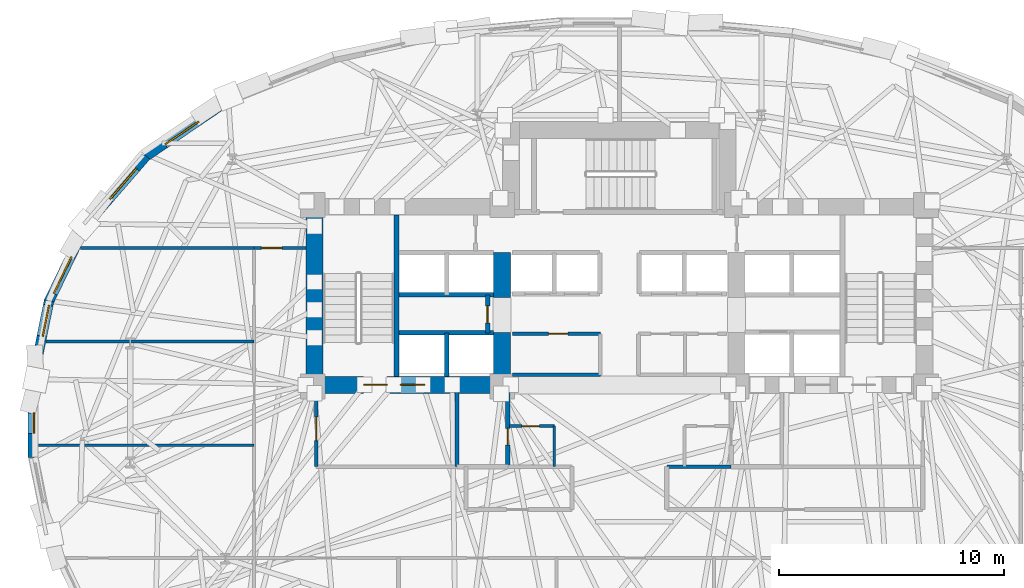
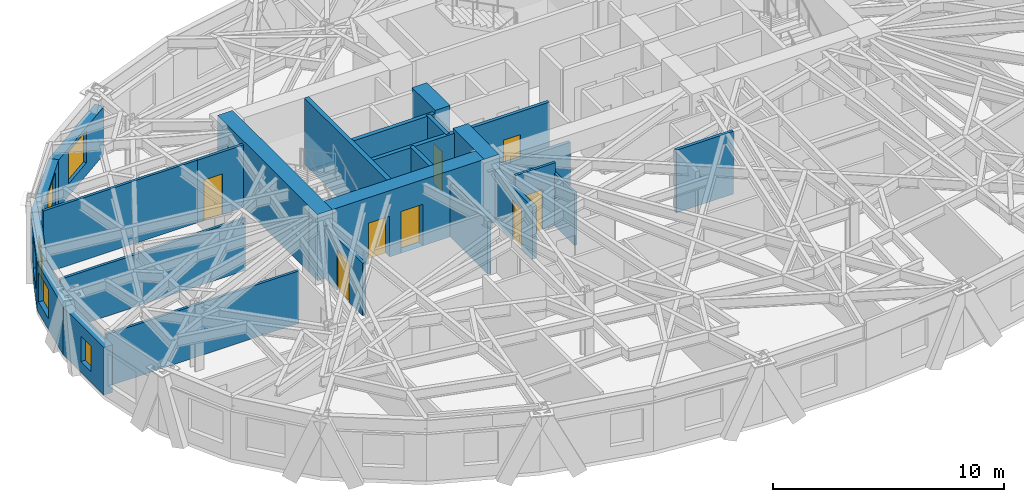
# One storey, part 7 of 14: 26 walls, 8 doors, 5 windows, 13 openings.
"""IFC4 building model written with IfcOpenShell, lengths in metres."""

from ifc_helpers import new_model, si_unit, direction, frame, frame_2d, origin, place, context, subcontext, project, spatial, rectangle, extrude, material, layer, layer_set, type_object, element, fill, save


model = new_model("IFC4")

# Units and contexts
model_context = context("Model", 3, precision=1e-05, world=origin(), true_north=direction((0.0, 1.0)))
body_context = subcontext(model_context, "Body", "Model", "MODEL_VIEW")
ifc_project = project(units=[si_unit("LENGTHUNIT", "METRE"), si_unit("AREAUNIT", "SQUARE_METRE"), si_unit("VOLUMEUNIT", "CUBIC_METRE"), si_unit("PLANEANGLEUNIT", "RADIAN"), si_unit("MASSUNIT", "GRAM", prefix="KILO")], contexts=[model_context])

# Site, building, storey
site_placement = place(None, origin())
site = spatial("IfcSite", under=ifc_project, at=site_placement, CompositionType="ELEMENT")
building_placement = place(site_placement, origin())
building = spatial("IfcBuilding", under=site, at=building_placement, Name="Keldmark Tower", CompositionType="ELEMENT")
storey_placement = place(building_placement, frame((0.0, 0.0, 121.10009765625)))
storey = spatial("IfcBuildingStorey", under=building, at=storey_placement, Name="L32", CompositionType="ELEMENT", Elevation=121.10009765625)

# Wall, opening, door
ifc_material_1 = material(Name="Acoustic Double-Layer Gypsum Corridor Partition", Category="gypsum")
ifc_layer_1 = layer(ifc_material_1, 0.139892578125)
ifc_layer_set_1 = layer_set([ifc_layer_1], Name="Acoustic Double-Layer Gypsum Corridor Partition")
wall_type_1 = type_object("IfcWallType", Name="Acoustic Corridor Partition 140 mm", PredefinedType="PARTITIONING", material=ifc_layer_set_1)
wall_1_placement = place(storey_placement, frame((-16.199951171875, 7.550048828125, 0.0), z_axis=(0.0, 0.0, 1.0), x_axis=(1.0, 0.0, 0.0)))
wall_1 = element("IfcWall", 1, at=wall_1_placement, inside=storey, type_object=wall_type_1, Name="L32 Acoustic Corridor Partition 140 mm COR-WN-CAP", PredefinedType="PARTITIONING", context=body_context, shape_type="SweptSolid", body=[
    extrude(rectangle(XDim=2.300048828125, YDim=0.139892578125, at=frame_2d((1.14990234375, 0.0))), origin(), (0.0, 0.0, 1.0), 3.309814453125),
])
opening_1_placement = place(wall_1_placement, frame((0.320068359375, 0.0, 0.0)))
opening_1 = element("IfcOpeningElement", 2, at=opening_1_placement, cuts=wall_1, Name="Opening D-EX092", PredefinedType="OPENING", context=body_context, shape_type="SweptSolid", body=[
    extrude(rectangle(XDim=0.919921875, YDim=2.14990234375, at=frame_2d((0.4599609375, 1.074951171875))), frame((0.0, 0.079833984375, 0.0), z_axis=(0.0, -1.0, 0.0), x_axis=(1.0, 0.0, 0.0)), (0.0, 0.0, 1.0), 0.159912109375),
])
ifc_material_2 = material(Name="Flush American Ash Executive Office Door", Category="wood")
door_type_1 = type_object("IfcDoorType", Name="Executive Office Door 920x2150", OperationType="NOTDEFINED", PredefinedType="DOOR", material=ifc_material_2)
door_1_placement = place(opening_1_placement, origin())
door_1 = element("IfcDoor", 3, at=door_1_placement, inside=storey, type_object=door_type_1, Name="L32 Executive Office Door 920x2150 D-NRNW-L32", OperationType="SINGLE_SWING_LEFT", OverallHeight=2.14990234375, OverallWidth=0.919921875, PredefinedType="DOOR", context=body_context, shape_type="SweptSolid", body=[
    extrude(rectangle(XDim=0.919921875, YDim=2.14990234375, at=frame_2d((0.4599609375, 1.074951171875))), frame((0.0, 0.02490234375, 0.0), z_axis=(0.0, -1.0, 0.0), x_axis=(1.0, 0.0, 0.0)), (0.0, 0.0, 1.0), 0.050048828125),
])
fill(opening_1, door_1)

ifc_material_3 = material(Name="Acoustic Gypsum Board Interior Partition", Category="gypsum")
ifc_layer_2 = layer(ifc_material_3, 0.1298828125)
ifc_layer_set_2 = layer_set([ifc_layer_2], Name="Acoustic Gypsum Board Interior Partition")
wall_type_2 = type_object("IfcWallType", Name="Interior Partition 130 mm", PredefinedType="PARTITIONING", material=ifc_layer_set_2)
wall_2_placement = place(storey_placement, frame((-4.8798828125, -0.35009765625, 0.0), z_axis=(0.0, 0.0, 1.0), x_axis=(1.0, 0.0, 0.0)))
wall_2 = element("IfcWall", 4, at=wall_2_placement, inside=storey, type_object=wall_type_2, Name="L32 Interior Partition 130 mm CSC-W-N", PredefinedType="PARTITIONING", context=body_context, shape_type="SweptSolid", body=[
    extrude(rectangle(XDim=1.989990234375, YDim=0.1298828125, at=frame_2d((0.9951171875, 0.0))), origin(), (0.0, 0.0, 1.0), 3.309814453125),
])
opening_2_placement = place(wall_2_placement, frame((0.550048828125, 0.0, 0.0)))
opening_2 = element("IfcOpeningElement", 5, at=opening_2_placement, cuts=wall_2, Name="Opening D-CL078", PredefinedType="OPENING", context=body_context, shape_type="SweptSolid", body=[
    extrude(rectangle(XDim=0.780029296875, YDim=2.10009765625, at=frame_2d((0.39013671875, 1.050048828125))), frame((0.0, 0.074951171875, 0.0), z_axis=(0.0, -1.0, 0.0), x_axis=(1.0, 0.0, 0.0)), (0.0, 0.0, 1.0), 0.14990234375),
])
ifc_material_4 = material(Name="Flush Utility Closet Timber Door", Category="wood")
door_type_2 = type_object("IfcDoorType", Name="Closet Door 780x2100", OperationType="NOTDEFINED", PredefinedType="DOOR", material=ifc_material_4)
door_2_placement = place(opening_2_placement, origin())
door_2 = element("IfcDoor", 6, at=door_2_placement, inside=storey, type_object=door_type_2, Name="L32 Closet Door 780x2100 D-CSCW1-L32", OperationType="SINGLE_SWING_RIGHT", OverallHeight=2.10009765625, OverallWidth=0.780029296875, PredefinedType="DOOR", context=body_context, shape_type="SweptSolid", body=[
    extrude(rectangle(XDim=0.780029296875, YDim=2.10009765625, at=frame_2d((0.39013671875, 1.050048828125))), frame((0.0, 0.02490234375, 0.0), z_axis=(0.0, -1.0, 0.0), x_axis=(1.0, 0.0, 0.0)), (0.0, 0.0, 1.0), 0.050048828125),
])
fill(opening_2, door_2)

# Walls
wall_3_placement = place(storey_placement, frame((-2.889892578125, -2.14990234375, 0.0), z_axis=(0.0, 0.0, 1.0), x_axis=(0.0, 1.0, 0.0)))
element("IfcWall", 7, at=wall_3_placement, inside=storey, type_object=wall_type_2, Name="L32 Interior Partition 130 mm CSC-W-E", PredefinedType="PARTITIONING", context=body_context, shape_type="SweptSolid", body=[
    extrude(rectangle(XDim=1.7998046875, YDim=0.1298828125, at=frame_2d((0.89990234375, 0.0))), origin(), (0.0, 0.0, 1.0), 2.762939453125),
])
wall_4_placement = place(storey_placement, frame((-23.89990234375, 7.550048828125, 0.0), z_axis=(0.0, 0.0, 1.0), x_axis=(1.0, 0.0, 0.0)))
element("IfcWall", 8, at=wall_4_placement, inside=storey, type_object=wall_type_2, Name="L32 Interior Partition 130 mm W-CAP-N", PredefinedType="PARTITIONING", context=body_context, shape_type="SweptSolid", body=[
    extrude(rectangle(XDim=7.699951171875, YDim=0.1298828125, at=frame_2d((3.85009765625, 0.0))), origin(), (0.0, 0.0, 1.0), 3.309814453125),
])
wall_5_placement = place(storey_placement, frame((-25.775390625, -1.199951171875, 0.0), z_axis=(0.0, 0.0, 1.0), x_axis=(1.0, 0.0, 0.0)))
element("IfcWall", 9, at=wall_5_placement, inside=storey, type_object=wall_type_2, Name="L32 Interior Partition 130 mm W-DIV-1", PredefinedType="PARTITIONING", context=body_context, shape_type="SweptSolid", body=[
    extrude(rectangle(XDim=9.575439453125, YDim=0.1298828125, at=frame_2d((4.78759765625, 0.0))), origin(), (0.0, 0.0, 1.0), 2.762939453125),
])
wall_6_placement = place(storey_placement, frame((-25.431884765625, 3.39990234375, 0.0), z_axis=(0.0, 0.0, 1.0), x_axis=(1.0, 0.0, 0.0)))
element("IfcWall", 10, at=wall_6_placement, inside=storey, type_object=wall_type_2, Name="L32 Interior Partition 130 mm W-DIV-2", PredefinedType="PARTITIONING", context=body_context, shape_type="SweptSolid", body=[
    extrude(rectangle(XDim=9.23193359375, YDim=0.1298828125, at=frame_2d((4.615966796875, 0.0))), origin(), (0.0, 0.0, 1.0), 2.762939453125),
])
ifc_material_5 = material(Name="Concrete C70/85", Category="concrete")
ifc_layer_3 = layer(ifc_material_5, 0.75)
ifc_layer_set_3 = layer_set([ifc_layer_3], Name="Concrete C70/85")
wall_type_3 = type_object("IfcWallType", Name="Low-Mid Core Shear Wall 750 mm", PredefinedType="SHEAR", material=ifc_layer_set_3)
wall_7_placement = place(storey_placement, frame((-13.52490234375, 1.10009765625, 0.0), z_axis=(0.0, 0.0, 1.0), x_axis=(0.0, 1.0, 0.0)))
element("IfcWall", 11, at=wall_7_placement, inside=storey, type_object=wall_type_3, Name="L32 West Core Outer Shear Wall", PredefinedType="SHEAR", context=body_context, shape_type="SweptSolid", body=[
    extrude(rectangle(XDim=8.64990234375, YDim=0.75, at=frame_2d((4.324951171875, 0.0))), origin(), (0.0, 0.0, 1.0), 3.5),
])

# Wall, openings, doors
wall_8_placement = place(storey_placement, frame((-4.824951171875, 1.47509765625, 0.0), z_axis=(0.0, 0.0, 1.0), x_axis=(-1.0, 0.0, 0.0)))
wall_8 = element("IfcWall", 12, at=wall_8_placement, inside=storey, type_object=wall_type_3, Name="L32 West Core South Shear Wall", PredefinedType="SHEAR", context=body_context, shape_type="SweptSolid", body=[
    extrude(rectangle(XDim=9.074951171875, YDim=0.75, at=frame_2d((4.53759765625, 0.0))), origin(), (0.0, 0.0, 1.0), 3.5),
])
opening_3_placement = place(wall_8_placement, frame((5.47509765625, 0.0, 0.0)))
opening_3 = element("IfcOpeningElement", 13, at=opening_3_placement, cuts=wall_8, Name="Opening D-ST105", PredefinedType="OPENING", context=body_context, shape_type="SweptSolid", body=[
    extrude(rectangle(XDim=1.050048828125, YDim=2.14990234375, at=frame_2d((0.52490234375, 1.074951171875))), frame((0.0, 0.385009765625, 0.0), z_axis=(0.0, -1.0, 0.0), x_axis=(1.0, 0.0, 0.0)), (0.0, 0.0, 1.0), 0.77001953125),
])
opening_4_placement = place(wall_8_placement, frame((3.804931640625, 0.0, 0.0)))
opening_4 = element("IfcOpeningElement", 14, at=opening_4_placement, cuts=wall_8, Name="Opening LD-110", PredefinedType="OPENING", context=body_context, shape_type="SweptSolid", body=[
    extrude(rectangle(XDim=1.10009765625, YDim=2.199951171875, at=frame_2d((0.550048828125, 1.10009765625))), frame((0.0, 0.385009765625, 0.0), z_axis=(0.0, -1.0, 0.0), x_axis=(1.0, 0.0, 0.0)), (0.0, 0.0, 1.0), 0.77001953125),
])
ifc_material_6 = material(Name="Brushed Bronze Hoistway Sliding Leaf", Category="metal")
door_type_3 = type_object("IfcDoorType", Name="Lift Landing Sliding Door 1100x2200", OperationType="SLIDING_TO_LEFT", PredefinedType="DOOR", material=ifc_material_6)
door_3_placement = place(opening_4_placement, origin())
door_3 = element("IfcDoor", 15, at=door_3_placement, inside=storey, type_object=door_type_3, Name="L32 Lift Landing Sliding Door 1100x2200 LD-EL-FS1-L32", OperationType="SLIDING_TO_LEFT", OverallHeight=2.199951171875, OverallWidth=1.10009765625, PredefinedType="DOOR", context=body_context, shape_type="SweptSolid", body=[
    extrude(rectangle(XDim=1.10009765625, YDim=2.199951171875, at=frame_2d((0.550048828125, 1.10009765625))), frame((0.0, 0.02490234375, 0.0), z_axis=(0.0, -1.0, 0.0), x_axis=(1.0, 0.0, 0.0)), (0.0, 0.0, 1.0), 0.050048828125),
])
fill(opening_4, door_3)
ifc_material_7 = material(Name="Hollow Metal Fire-Rated Door Assembly", Category="metal")
door_type_4 = type_object("IfcDoorType", Name="Stair Fire Door 1050x2150", OperationType="NOTDEFINED", PredefinedType="DOOR", material=ifc_material_7)
door_4_placement = place(opening_3_placement, origin())
door_4 = element("IfcDoor", 16, at=door_4_placement, inside=storey, type_object=door_type_4, Name="L32 Stair Fire Door 1050x2150 D-ST1-L32", OperationType="SINGLE_SWING_RIGHT", OverallHeight=2.14990234375, OverallWidth=1.050048828125, PredefinedType="DOOR", context=body_context, shape_type="SweptSolid", body=[
    extrude(rectangle(XDim=1.050048828125, YDim=2.14990234375, at=frame_2d((0.52490234375, 1.074951171875))), frame((0.0, 0.02490234375, 0.0), z_axis=(0.0, -1.0, 0.0), x_axis=(1.0, 0.0, 0.0)), (0.0, 0.0, 1.0), 0.050048828125),
])
fill(opening_3, door_4)

# Walls
wall_9_placement = place(storey_placement, frame((-5.199951171875, 1.10009765625, 0.0), z_axis=(0.0, 0.0, 1.0), x_axis=(0.0, 1.0, 0.0)))
element("IfcWall", 17, at=wall_9_placement, inside=storey, type_object=wall_type_3, Name="L32 West Core Inner Shear Pier South", PredefinedType="SHEAR", context=body_context, shape_type="SweptSolid", body=[
    extrude(rectangle(XDim=2.699951171875, YDim=0.75, at=frame_2d((1.35009765625, 0.0))), origin(), (0.0, 0.0, 1.0), 3.5),
])
wall_10_placement = place(storey_placement, frame((-5.199951171875, 5.35009765625, 0.0), z_axis=(0.0, 0.0, 1.0), x_axis=(0.0, 1.0, 0.0)))
element("IfcWall", 18, at=wall_10_placement, inside=storey, type_object=wall_type_3, Name="L32 West Core Inner Shear Pier North", PredefinedType="SHEAR", context=body_context, shape_type="SweptSolid", body=[
    extrude(rectangle(XDim=2.0, YDim=0.75, at=frame_2d((1.0, 0.0))), origin(), (0.0, 0.0, 1.0), 3.5),
])

# Wall, opening, door
ifc_material_8 = material(Name="Type X Fire-Rated Gypsum Partition Assembly", Category="gypsum")
ifc_layer_4 = layer(ifc_material_8, 0.1650390625)
ifc_layer_set_4 = layer_set([ifc_layer_4], Name="Type X Fire-Rated Gypsum Partition Assembly")
wall_type_4 = type_object("IfcWallType", Name="Rated Partition 165 mm", PredefinedType="PARTITIONING", material=ifc_layer_set_4)
wall_11_placement = place(storey_placement, frame((-13.449951171875, -2.14990234375, 0.0), z_axis=(0.0, 0.0, 1.0), x_axis=(0.0, 1.0, 0.0)))
wall_11 = element("IfcWall", 19, at=wall_11_placement, inside=storey, type_object=wall_type_4, Name="L32 Rated Partition 165 mm FSAE-W-W", PredefinedType="PARTITIONING", context=body_context, shape_type="SweptSolid", body=[
    extrude(rectangle(XDim=3.2998046875, YDim=0.1650390625, at=frame_2d((1.64990234375, 0.0))), origin(), (0.0, 0.0, 1.0), 2.762939453125),
])
opening_5_placement = place(wall_11_placement, frame((1.14990234375, 0.0, 0.0)))
opening_5 = element("IfcOpeningElement", 20, at=opening_5_placement, cuts=wall_11, Name="Opening D-FL105", PredefinedType="OPENING", context=body_context, shape_type="SweptSolid", body=[
    extrude(rectangle(XDim=1.050048828125, YDim=2.14990234375, at=frame_2d((0.52490234375, 1.074951171875))), frame((0.0, 0.092529296875, 0.0), z_axis=(0.0, -1.0, 0.0), x_axis=(1.0, 0.0, 0.0)), (0.0, 0.0, 1.0), 0.18505859375),
])
ifc_material_9 = material(Name="Fire-Rated Mineral-Core Door and Vision Lite", Category="metal")
door_type_5 = type_object("IfcDoorType", Name="Fire Lobby Door 1050x2150", OperationType="NOTDEFINED", PredefinedType="DOOR", material=ifc_material_9)
door_5_placement = place(opening_5_placement, origin())
door_5 = element("IfcDoor", 21, at=door_5_placement, inside=storey, type_object=door_type_5, Name="L32 Fire Lobby Door 1050x2150 D-FSAEW-OUT-L32", OperationType="SINGLE_SWING_LEFT", OverallHeight=2.14990234375, OverallWidth=1.050048828125, PredefinedType="DOOR", context=body_context, shape_type="SweptSolid", body=[
    extrude(rectangle(XDim=1.050048828125, YDim=2.14990234375, at=frame_2d((0.52490234375, 1.074951171875))), frame((0.0, 0.02490234375, 0.0), z_axis=(0.0, -1.0, 0.0), x_axis=(1.0, 0.0, 0.0)), (0.0, 0.0, 1.0), 0.050048828125),
])
fill(opening_5, door_5)

# Walls
wall_12_placement = place(storey_placement, frame((-7.199951171875, -2.14990234375, 0.0), z_axis=(0.0, 0.0, 1.0), x_axis=(0.0, 1.0, 0.0)))
element("IfcWall", 22, at=wall_12_placement, inside=storey, type_object=wall_type_4, Name="L32 Rated Partition 165 mm FSAE-W-E", PredefinedType="PARTITIONING", context=body_context, shape_type="SweptSolid", body=[
    extrude(rectangle(XDim=3.2998046875, YDim=0.1650390625, at=frame_2d((1.64990234375, 0.0))), origin(), (0.0, 0.0, 1.0), 2.762939453125),
])
wall_13_placement = place(storey_placement, frame((-4.739990234375, 1.919921875, 0.0), z_axis=(0.0, 0.0, 1.0), x_axis=(1.0, 0.0, 0.0)))
element("IfcWall", 23, at=wall_13_placement, inside=storey, type_object=wall_type_4, Name="L32 Rated Partition 165 mm REC-LW-S", PredefinedType="PARTITIONING", context=body_context, shape_type="SweptSolid", body=[
    extrude(rectangle(XDim=3.889892578125, YDim=0.1650390625, at=frame_2d((1.94482421875, 0.0))), origin(), (0.0, 0.0, 1.0), 2.2998046875),
])

# Wall, opening, door
wall_14_placement = place(storey_placement, frame((-4.739990234375, 3.739990234375, 0.0), z_axis=(0.0, 0.0, 1.0), x_axis=(1.0, 0.0, 0.0)))
wall_14 = element("IfcWall", 24, at=wall_14_placement, inside=storey, type_object=wall_type_4, Name="L32 Rated Partition 165 mm REC-LW-N", PredefinedType="PARTITIONING", context=body_context, shape_type="SweptSolid", body=[
    extrude(rectangle(XDim=3.889892578125, YDim=0.1650390625, at=frame_2d((1.94482421875, 0.0))), origin(), (0.0, 0.0, 1.0), 3.309814453125),
])
opening_6_placement = place(wall_14_placement, frame((1.60009765625, 0.0, 0.0)))
opening_6 = element("IfcOpeningElement", 25, at=opening_6_placement, cuts=wall_14, Name="Opening D-SV085", PredefinedType="OPENING", context=body_context, shape_type="SweptSolid", body=[
    extrude(rectangle(XDim=0.85009765625, YDim=2.10009765625, at=frame_2d((0.425048828125, 1.050048828125))), frame((0.0, 0.092529296875, 0.0), z_axis=(0.0, -1.0, 0.0), x_axis=(1.0, 0.0, 0.0)), (0.0, 0.0, 1.0), 0.18505859375),
])
ifc_material_10 = material(Name="Painted Hollow Metal Door Assembly", Category="metal")
door_type_6 = type_object("IfcDoorType", Name="Service Door 850x2100", OperationType="NOTDEFINED", PredefinedType="DOOR", material=ifc_material_10)
door_6_placement = place(opening_6_placement, origin())
door_6 = element("IfcDoor", 26, at=door_6_placement, inside=storey, type_object=door_type_6, Name="L32 Service Door 850x2100 D-RECLW1-L32", OperationType="SINGLE_SWING_LEFT", OverallHeight=2.10009765625, OverallWidth=0.85009765625, PredefinedType="DOOR", context=body_context, shape_type="SweptSolid", body=[
    extrude(rectangle(XDim=0.85009765625, YDim=2.10009765625, at=frame_2d((0.425048828125, 1.050048828125))), frame((0.0, 0.02490234375, 0.0), z_axis=(0.0, -1.0, 0.0), x_axis=(1.0, 0.0, 0.0)), (0.0, 0.0, 1.0), 0.050048828125),
])
fill(opening_6, door_6)

ifc_material_11 = material(Name="Fire-Resistant Type X Gypsum Shaftliner Coreboard", Category="gypsum")
ifc_layer_5 = layer(ifc_material_11, 0.199951171875)
ifc_layer_set_5 = layer_set([ifc_layer_5], Name="Fire-Resistant Type X Gypsum Shaftliner Coreboard")
wall_type_5 = type_object("IfcWallType", Name="Shaft Wall 200 mm", PredefinedType="SOLIDWALL", material=ifc_layer_set_5)
wall_15_placement = place(storey_placement, frame((-4.949951171875, -2.14990234375, 0.0), z_axis=(0.0, 0.0, 1.0), x_axis=(0.0, 1.0, 0.0)))
wall_15 = element("IfcWall", 27, at=wall_15_placement, inside=storey, type_object=wall_type_5, Name="L32 Shaft Wall 200 mm RIS-SW-E", PredefinedType="SOLIDWALL", context=body_context, shape_type="SweptSolid", body=[
    extrude(rectangle(XDim=3.2998046875, YDim=0.199951171875, at=frame_2d((1.64990234375, 0.0))), origin(), (0.0, 0.0, 1.0), 2.762939453125),
])
opening_7_placement = place(wall_15_placement, frame((0.949951171875, 0.0, 0.0)))
opening_7 = element("IfcOpeningElement", 28, at=opening_7_placement, cuts=wall_15, Name="Opening D-RS075", PredefinedType="OPENING", context=body_context, shape_type="SweptSolid", body=[
    extrude(rectangle(XDim=0.75, YDim=2.10009765625, at=frame_2d((0.375, 1.050048828125))), frame((0.0, 0.10986328125, 0.0), z_axis=(0.0, -1.0, 0.0), x_axis=(1.0, 0.0, 0.0)), (0.0, 0.0, 1.0), 0.219970703125),
])
ifc_material_12 = material(Name="Galvanized Fire-Rated Access Leaf", Category="metal")
door_type_7 = type_object("IfcDoorType", Name="Riser Access Door 750x2100", OperationType="NOTDEFINED", PredefinedType="DOOR", material=ifc_material_12)
door_7_placement = place(opening_7_placement, origin())
door_7 = element("IfcDoor", 29, at=door_7_placement, inside=storey, type_object=door_type_7, Name="L32 Riser Access Door 750x2100 D-RISSW-L32", OperationType="SINGLE_SWING_RIGHT", OverallHeight=2.10009765625, OverallWidth=0.75, PredefinedType="DOOR", context=body_context, shape_type="SweptSolid", body=[
    extrude(rectangle(XDim=0.75, YDim=2.10009765625, at=frame_2d((0.375, 1.050048828125))), frame((0.0, 0.02490234375, 0.0), z_axis=(0.0, -1.0, 0.0), x_axis=(1.0, 0.0, 0.0)), (0.0, 0.0, 1.0), 0.050048828125),
])
fill(opening_7, door_7)

# Walls
wall_16_placement = place(storey_placement, frame((-9.780029296875, 3.780029296875, 0.0), z_axis=(0.0, 0.0, 1.0), x_axis=(1.0, 0.0, 0.0)))
element("IfcWall", 30, at=wall_16_placement, inside=storey, type_object=wall_type_5, Name="L32 Shaft Wall 200 mm HW-W-S", PredefinedType="SOLIDWALL", context=body_context, shape_type="SweptSolid", body=[
    extrude(rectangle(XDim=4.205078125, YDim=0.199951171875, at=frame_2d((2.1025390625, 0.0))), origin(), (0.0, 0.0, 1.0), 3.309814453125),
])
wall_17_placement = place(storey_placement, frame((-7.64990234375, 1.85009765625, 0.0), z_axis=(0.0, 0.0, 1.0), x_axis=(0.0, 1.0, 0.0)))
element("IfcWall", 31, at=wall_17_placement, inside=storey, type_object=wall_type_5, Name="L32 Shaft Wall 200 mm HW-W-M", PredefinedType="SOLIDWALL", context=body_context, shape_type="SweptSolid", body=[
    extrude(rectangle(XDim=1.929931640625, YDim=0.199951171875, at=frame_2d((0.96484375, 0.0))), origin(), (0.0, 0.0, 1.0), 3.309814453125),
])
wall_18_placement = place(storey_placement, frame((-9.780029296875, 5.469970703125, 0.0), z_axis=(0.0, 0.0, 1.0), x_axis=(1.0, 0.0, 0.0)))
element("IfcWall", 32, at=wall_18_placement, inside=storey, type_object=wall_type_5, Name="L32 Shaft Wall 200 mm HW-W-N", PredefinedType="SOLIDWALL", context=body_context, shape_type="SweptSolid", body=[
    extrude(rectangle(XDim=4.205078125, YDim=0.199951171875, at=frame_2d((2.1025390625, 0.0))), origin(), (0.0, 0.0, 1.0), 3.309814453125),
])

# Wall, opening, door
wall_19_placement = place(storey_placement, frame((-5.85009765625, 3.780029296875, 0.0), z_axis=(0.0, 0.0, 1.0), x_axis=(0.0, 1.0, 0.0)))
wall_19 = element("IfcWall", 33, at=wall_19_placement, inside=storey, type_object=wall_type_5, Name="L32 Shaft Wall 200 mm HW-W-CLOSE", PredefinedType="SOLIDWALL", context=body_context, shape_type="SweptSolid", body=[
    extrude(rectangle(XDim=1.68994140625, YDim=0.199951171875, at=frame_2d((0.844970703125, 0.0))), origin(), (0.0, 0.0, 1.0), 3.309814453125),
])
opening_8_placement = place(wall_19_placement, frame((0.449951171875, 0.0, 0.0)))
opening_8 = element("IfcOpeningElement", 34, at=opening_8_placement, cuts=wall_19, Name="Opening D-RS075", PredefinedType="OPENING", context=body_context, shape_type="SweptSolid", body=[
    extrude(rectangle(XDim=0.75, YDim=2.10009765625, at=frame_2d((0.375, 1.050048828125))), frame((0.0, 0.10986328125, 0.0), z_axis=(0.0, -1.0, 0.0), x_axis=(1.0, 0.0, 0.0)), (0.0, 0.0, 1.0), 0.219970703125),
])
door_8_placement = place(opening_8_placement, origin())
door_8 = element("IfcDoor", 35, at=door_8_placement, inside=storey, type_object=door_type_7, Name="L32 Riser Access Door 750x2100 D-RISHW-L32", OperationType="SINGLE_SWING_RIGHT", OverallHeight=2.10009765625, OverallWidth=0.75, PredefinedType="DOOR", context=body_context, shape_type="SweptSolid", body=[
    extrude(rectangle(XDim=0.75, YDim=2.10009765625, at=frame_2d((0.375, 1.050048828125))), frame((0.0, 0.02490234375, 0.0), z_axis=(0.0, -1.0, 0.0), x_axis=(1.0, 0.0, 0.0)), (0.0, 0.0, 1.0), 0.050048828125),
])
fill(opening_8, door_8)

# Wall
ifc_material_13 = material(Name="Concrete C50/60", Category="concrete")
ifc_layer_6 = layer(ifc_material_13, 0.219970703125)
ifc_layer_set_6 = layer_set([ifc_layer_6], Name="Concrete C50/60")
wall_type_6 = type_object("IfcWallType", Name="Stair Core Shear Wall 220 mm", PredefinedType="SHEAR", material=ifc_layer_set_6)
wall_20_placement = place(storey_placement, frame((-9.889892578125, 1.85009765625, 0.0), z_axis=(0.0, 0.0, 1.0), x_axis=(0.0, 1.0, 0.0)))
element("IfcWall", 36, at=wall_20_placement, inside=storey, type_object=wall_type_6, Name="L32 West Stair Core Shear Wall", PredefinedType="SHEAR", context=body_context, shape_type="SweptSolid", body=[
    extrude(rectangle(XDim=7.14990234375, YDim=0.219970703125, at=frame_2d((3.574951171875, 0.0))), origin(), (0.0, 0.0, 1.0), 3.5),
])

# Wall, opening, window
ifc_material_14 = material(Name="Ironspot Manganese Brick and Kasota Buff Limestone Spandrel Assembly", Category="masonry")
ifc_layer_7 = layer(ifc_material_14, 0.43994140625)
ifc_layer_set_7 = layer_set([ifc_layer_7], Name="Ironspot Manganese Brick and Kasota Buff Limestone Spandrel Assembly")
wall_type_7 = type_object("IfcWallType", Name="Tower Brick Pier and Spandrel Wall 440 mm", PredefinedType="STANDARD", material=ifc_layer_set_7)
wall_21_placement = place(storey_placement, frame((-21.035888671875, 11.591064453125, 0.0), z_axis=(0.0, 0.0, 1.0), x_axis=(0.827707240431, 0.56116015908, 0.0)))
wall_21 = element("IfcWall", 37, at=wall_21_placement, inside=storey, type_object=wall_type_7, Name="L32 Exterior Brick and Spandrel Wall 12", PredefinedType="STANDARD", context=body_context, shape_type="SweptSolid", body=[
    extrude(rectangle(XDim=4.584228515625, YDim=0.43994140625, at=frame_2d((2.2919921875, 0.0))), origin(), (0.0, 0.0, 1.0), 2.52783203125),
])
opening_9_placement = place(wall_21_placement, frame((1.04443359375, 0.0, 0.64990234375)))
opening_9 = element("IfcOpeningElement", 38, at=opening_9_placement, cuts=wall_21, Name="Opening W-02", PredefinedType="OPENING", context=body_context, shape_type="SweptSolid", body=[
    extrude(rectangle(XDim=1.800048828125, YDim=1.699951171875, at=frame_2d((0.89990234375, 0.85009765625))), frame((0.0, 0.22998046875, 0.0), z_axis=(0.0, -1.0, 0.0), x_axis=(1.0, 0.0, 0.0)), (0.0, 0.0, 1.0), 0.4599609375),
])
ifc_material_15 = material(Name="Thermally Broken Anodized Aluminum and Triple Low-E Argon Glazing", Category="aluminium")
window_type_1 = type_object("IfcWindowType", Name="Office Deep-Set Triple Window 1800x1700", PartitioningType="TRIPLE_PANEL_VERTICAL", PredefinedType="WINDOW", material=ifc_material_15)
window_1_placement = place(opening_9_placement, origin())
window_1 = element("IfcWindow", 39, at=window_1_placement, inside=storey, type_object=window_type_1, Name="L32 Deep-Set Window 12", OverallHeight=1.699951171875, OverallWidth=1.800048828125, PartitioningType="SINGLE_PANEL", PredefinedType="WINDOW", context=body_context, shape_type="SweptSolid", body=[
    extrude(rectangle(XDim=1.800048828125, YDim=1.699951171875, at=frame_2d((0.89990234375, 0.85009765625))), frame((0.0, -0.010009765625, 0.0), z_axis=(0.0, -1.0, 0.0), x_axis=(1.0, 0.0, 0.0)), (0.0, 0.0, 1.0), 0.06005859375),
])
fill(opening_9, window_1)

wall_22_placement = place(storey_placement, frame((-23.69921875, 8.50439453125, 0.0), z_axis=(0.0, 0.0, 1.0), x_axis=(0.654644924638, 0.755936520249, 0.0)))
wall_22 = element("IfcWall", 40, at=wall_22_placement, inside=storey, type_object=wall_type_7, Name="L32 Exterior Brick and Spandrel Wall 13", PredefinedType="STANDARD", context=body_context, shape_type="SweptSolid", body=[
    extrude(rectangle(XDim=4.133544921875, YDim=0.43994140625, at=frame_2d((2.06689453125, 0.0))), origin(), (0.0, 0.0, 1.0), 2.52783203125),
])
opening_10_placement = place(wall_22_placement, frame((1.6376953125, 0.0, 0.64990234375)))
opening_10 = element("IfcOpeningElement", 41, at=opening_10_placement, cuts=wall_22, Name="Opening W-02", PredefinedType="OPENING", context=body_context, shape_type="SweptSolid", body=[
    extrude(rectangle(XDim=1.800048828125, YDim=1.699951171875, at=frame_2d((0.89990234375, 0.85009765625))), frame((0.0, 0.22998046875, 0.0), z_axis=(0.0, -1.0, 0.0), x_axis=(1.0, 0.0, 0.0)), (0.0, 0.0, 1.0), 0.4599609375),
])
window_2_placement = place(opening_10_placement, origin())
window_2 = element("IfcWindow", 42, at=window_2_placement, inside=storey, type_object=window_type_1, Name="L32 Deep-Set Window 13", OverallHeight=1.699951171875, OverallWidth=1.800048828125, PartitioningType="SINGLE_PANEL", PredefinedType="WINDOW", context=body_context, shape_type="SweptSolid", body=[
    extrude(rectangle(XDim=1.800048828125, YDim=1.699951171875, at=frame_2d((0.89990234375, 0.85009765625))), frame((0.0, -0.010009765625, 0.0), z_axis=(0.0, -1.0, 0.0), x_axis=(1.0, 0.0, 0.0)), (0.0, 0.0, 1.0), 0.06005859375),
])
fill(opening_10, window_2)

wall_23_placement = place(storey_placement, frame((-25.31640625, 5.1513671875, 0.0), z_axis=(0.0, 0.0, 1.0), x_axis=(0.43625131955, 0.899824864177, 0.0)))
wall_23 = element("IfcWall", 43, at=wall_23_placement, inside=storey, type_object=wall_type_7, Name="L32 Exterior Brick and Spandrel Wall 14", PredefinedType="STANDARD", context=body_context, shape_type="SweptSolid", body=[
    extrude(rectangle(XDim=3.77978515625, YDim=0.43994140625, at=frame_2d((1.889892578125, 0.0))), origin(), (0.0, 0.0, 1.0), 2.52783203125),
])
opening_11_placement = place(wall_23_placement, frame((0.44677734375, 0.0, 0.64990234375)))
opening_11 = element("IfcOpeningElement", 44, at=opening_11_placement, cuts=wall_23, Name="Opening W-02", PredefinedType="OPENING", context=body_context, shape_type="SweptSolid", body=[
    extrude(rectangle(XDim=1.800048828125, YDim=1.699951171875, at=frame_2d((0.89990234375, 0.85009765625))), frame((0.0, 0.22998046875, 0.0), z_axis=(0.0, -1.0, 0.0), x_axis=(1.0, 0.0, 0.0)), (0.0, 0.0, 1.0), 0.4599609375),
])
window_3_placement = place(opening_11_placement, origin())
window_3 = element("IfcWindow", 45, at=window_3_placement, inside=storey, type_object=window_type_1, Name="L32 Deep-Set Window 14", OverallHeight=1.699951171875, OverallWidth=1.800048828125, PartitioningType="SINGLE_PANEL", PredefinedType="WINDOW", context=body_context, shape_type="SweptSolid", body=[
    extrude(rectangle(XDim=1.800048828125, YDim=1.699951171875, at=frame_2d((0.89990234375, 0.85009765625))), frame((0.0, -0.010009765625, 0.0), z_axis=(0.0, -1.0, 0.0), x_axis=(1.0, 0.0, 0.0)), (0.0, 0.0, 1.0), 0.06005859375),
])
fill(opening_11, window_3)

wall_24_placement = place(storey_placement, frame((-26.0078125, 1.70751953125, 0.0), z_axis=(0.0, 0.0, 1.0), x_axis=(0.198813443609, 0.980037353696, 0.0)))
wall_24 = element("IfcWall", 46, at=wall_24_placement, inside=storey, type_object=wall_type_7, Name="L32 Exterior Brick and Spandrel Wall 15", PredefinedType="STANDARD", context=body_context, shape_type="SweptSolid", body=[
    extrude(rectangle(XDim=3.5673828125, YDim=0.43994140625, at=frame_2d((1.78369140625, 0.0))), origin(), (0.0, 0.0, 1.0), 2.52783203125),
])
opening_12_placement = place(wall_24_placement, frame((1.96728515625, 0.0, 0.580078125)))
opening_12 = element("IfcOpeningElement", 47, at=opening_12_placement, cuts=wall_24, Name="Opening W-08", PredefinedType="OPENING", context=body_context, shape_type="SweptSolid", body=[
    extrude(rectangle(XDim=1.39990234375, YDim=1.550048828125, at=frame_2d((0.699951171875, 0.77490234375))), frame((0.0, 0.22998046875, 0.0), z_axis=(0.0, -1.0, 0.0), x_axis=(1.0, 0.0, 0.0)), (0.0, 0.0, 1.0), 0.4599609375),
])
ifc_material_16 = material(Name="Thermally Broken Anodized Aluminum and Triple Low-E Argon Glazing", Category="aluminium")
window_type_2 = type_object("IfcWindowType", Name="Residential Corner Punched Window 1400x1550", PartitioningType="SINGLE_PANEL", PredefinedType="WINDOW", material=ifc_material_16)
window_4_placement = place(opening_12_placement, origin())
window_4 = element("IfcWindow", 48, at=window_4_placement, inside=storey, type_object=window_type_2, Name="L32 Deep-Set Window 15", OverallHeight=1.550048828125, OverallWidth=1.39990234375, PartitioningType="SINGLE_PANEL", PredefinedType="WINDOW", context=body_context, shape_type="SweptSolid", body=[
    extrude(rectangle(XDim=1.39990234375, YDim=1.550048828125, at=frame_2d((0.699951171875, 0.77490234375))), frame((0.0, -0.010009765625, 0.0), z_axis=(0.0, -1.0, 0.0), x_axis=(1.0, 0.0, 0.0)), (0.0, 0.0, 1.0), 0.06005859375),
])
fill(opening_12, window_4)

wall_25_placement = place(storey_placement, frame((-26.00341796875, -1.751220703125, 0.0), z_axis=(0.0, 0.0, 1.0), x_axis=(0.0, 1.0, 0.0)))
wall_25 = element("IfcWall", 49, at=wall_25_placement, inside=storey, type_object=wall_type_7, Name="L32 Exterior Brick and Spandrel Wall 16", PredefinedType="STANDARD", context=body_context, shape_type="SweptSolid", body=[
    extrude(rectangle(XDim=3.50244140625, YDim=0.43994140625, at=frame_2d((1.751220703125, 0.0))), origin(), (0.0, 0.0, 1.0), 2.52783203125),
])
opening_13_placement = place(wall_25_placement, frame((1.080810546875, 0.0, 0.580078125)))
opening_13 = element("IfcOpeningElement", 50, at=opening_13_placement, cuts=wall_25, Name="Opening W-09", PredefinedType="OPENING", context=body_context, shape_type="SweptSolid", body=[
    extrude(rectangle(XDim=0.89990234375, YDim=1.35009765625, at=frame_2d((0.449951171875, 0.675048828125))), frame((0.0, 0.22998046875, 0.0), z_axis=(0.0, -1.0, 0.0), x_axis=(1.0, 0.0, 0.0)), (0.0, 0.0, 1.0), 0.4599609375),
])
ifc_material_17 = material(Name="Thermally Broken Anodized Aluminum and Triple Low-E Argon Glazing", Category="aluminium")
window_type_3 = type_object("IfcWindowType", Name="Corner Pier Deep-Set Window 900x1350", PartitioningType="SINGLE_PANEL", PredefinedType="WINDOW", material=ifc_material_17)
window_5_placement = place(opening_13_placement, origin())
window_5 = element("IfcWindow", 51, at=window_5_placement, inside=storey, type_object=window_type_3, Name="L32 Deep-Set Window 16", OverallHeight=1.35009765625, OverallWidth=0.89990234375, PartitioningType="SINGLE_PANEL", PredefinedType="WINDOW", context=body_context, shape_type="SweptSolid", body=[
    extrude(rectangle(XDim=0.89990234375, YDim=1.35009765625, at=frame_2d((0.449951171875, 0.675048828125))), frame((0.0, -0.010009765625, 0.0), z_axis=(0.0, -1.0, 0.0), x_axis=(1.0, 0.0, 0.0)), (0.0, 0.0, 1.0), 0.06005859375),
])
fill(opening_13, window_5)

# Wall
ifc_material_18 = material(Name="Moisture-Resistant Gypsum Plumbing Partition", Category="gypsum")
ifc_layer_8 = layer(ifc_material_18, 0.14990234375)
ifc_layer_set_8 = layer_set([ifc_layer_8], Name="Moisture-Resistant Gypsum Plumbing Partition")
wall_type_8 = type_object("IfcWallType", Name="Wet Wall 150 mm", PredefinedType="PLUMBINGWALL", material=ifc_layer_set_8)
wall_26_placement = place(storey_placement, frame((2.10009765625, -2.14990234375, 0.0), z_axis=(0.0, 0.0, 1.0), x_axis=(1.0, 0.0, 0.0)))
element("IfcWall", 52, at=wall_26_placement, inside=storey, type_object=wall_type_8, Name="L32 Wet Wall 150 mm SPK-E-N", PredefinedType="PLUMBINGWALL", context=body_context, shape_type="SweptSolid", body=[
    extrude(rectangle(XDim=2.849853515625, YDim=0.14990234375, at=frame_2d((1.4248046875, 0.0))), origin(), (0.0, 0.0, 1.0), 3.309814453125),
])

save(model, "model.ifc")
